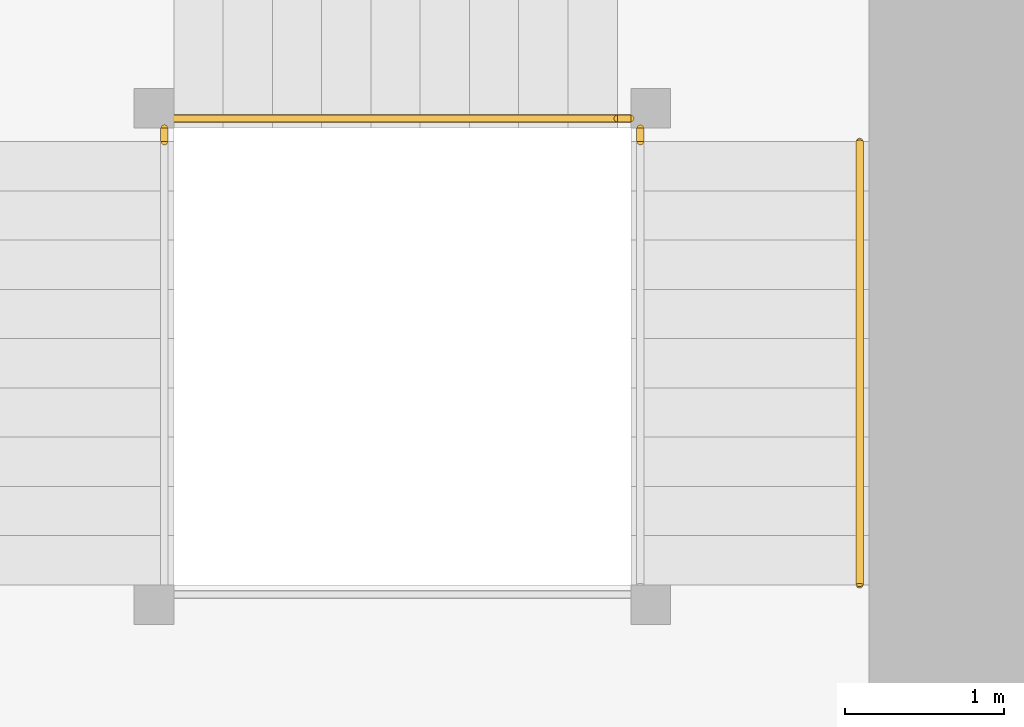
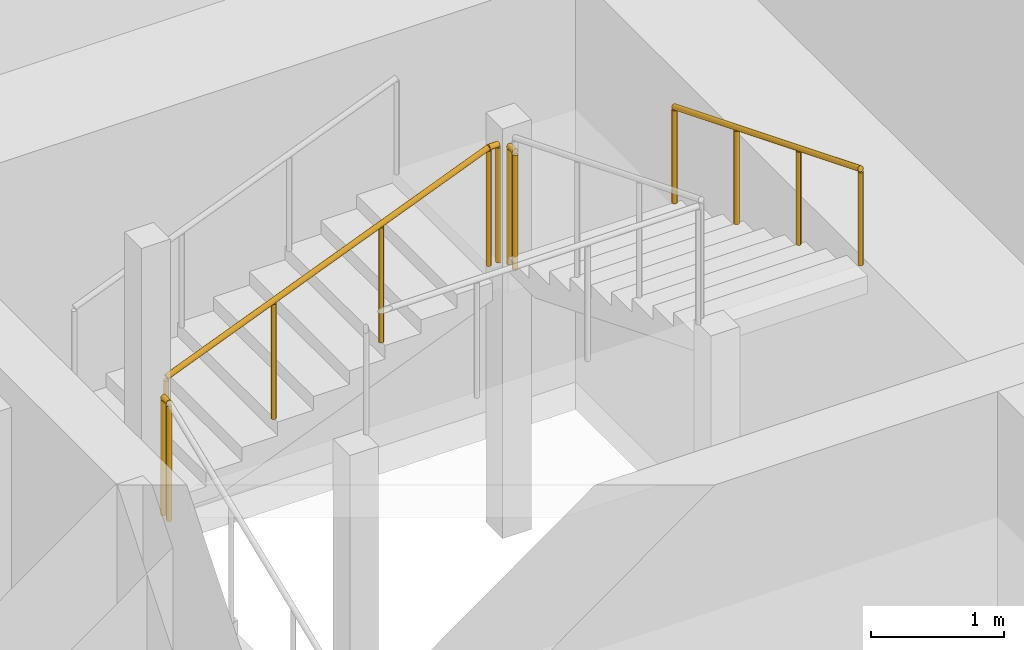
# One storey, part 39 of 40: 5 railings.
"""IFC4 building model written with IfcOpenShell, lengths in metres."""

import ifcopenshell
import ifcopenshell.guid

model = None  # the IFC model being written
_history = None  # IfcOwnerHistory: only IFC2X3 demands one
_inside = {}  # id of a spatial element -> (the spatial element, [elements in it])
_under = {}  # id of a project, library or spatial element -> (it, [spatial elements below it])
_declared = {}  # id of a project -> (the project, [libraries it declares])
_typed = {}  # id of a type object -> (the type object, [elements of that type])
_made_of = {}  # id of a material, layer set ... -> (it, [elements and type objects made of it])


def new_model(schema):
    """Start an empty IFC model of exactly this schema.

    Asked for "IFC4X3", IfcOpenShell would pick the latest addendum, in which some entities
    have other attributes; the version numbers below select the first issue.
    IFC2X3 requires an IfcOwnerHistory on every rooted entity: one is made here for all.
    """
    global model, _history
    if schema == "IFC4X3":
        model = ifcopenshell.file(schema_version=(4, 3, 0, 0))
    else:
        model = ifcopenshell.file(schema=schema)
    _inside.clear()
    _under.clear()
    _declared.clear()
    _typed.clear()
    _made_of.clear()
    _history = None
    if model.schema == "IFC2X3":
        org = make("IfcOrganization", Name="unknown")
        user = make(
            "IfcPersonAndOrganization",
            ThePerson=make("IfcPerson", FamilyName="unknown"),
            TheOrganization=org,
        )
        app = make(
            "IfcApplication",
            ApplicationDeveloper=org,
            Version="unknown",
            ApplicationFullName="unknown",
            ApplicationIdentifier="unknown",
        )
        _history = make(
            "IfcOwnerHistory",
            OwningUser=user,
            OwningApplication=app,
            ChangeAction="ADDED",
            CreationDate=0,
        )
    return model


def make(cls, **values):
    """One entity of the class cls with the attributes given. An attribute that is None is left unset."""
    return model.create_entity(
        cls, **{name: value for name, value in values.items() if value is not None}
    )


def rooted(cls, **values):
    """An entity with a GlobalId (a new one), such as an element, a storey or a relation."""
    return make(cls, GlobalId=ifcopenshell.guid.new(), OwnerHistory=_history, **values)


def si_unit(unit_type, name, prefix=None):
    """IfcSIUnit, for example si_unit("LENGTHUNIT", "METRE", prefix="MILLI")."""
    return make("IfcSIUnit", UnitType=unit_type, Prefix=prefix, Name=name)


def assignment(units):
    """IfcUnitAssignment: the units of a project."""
    return None if units is None else make("IfcUnitAssignment", Units=units)


def point(xyz):
    """IfcCartesianPoint."""
    return None if xyz is None else make("IfcCartesianPoint", Coordinates=xyz)


def direction(xyz):
    """IfcDirection."""
    return None if xyz is None else make("IfcDirection", DirectionRatios=xyz)


def frame(location, z_axis=None, x_axis=None):
    """IfcAxis2Placement3D, a coordinate frame: its origin and axes. An axis left out is left unset."""
    return make(
        "IfcAxis2Placement3D",
        Location=point(location),
        Axis=direction(z_axis),
        RefDirection=direction(x_axis),
    )


def frame_2d(location, x_axis=None):
    """IfcAxis2Placement2D, a coordinate frame in the plane: its origin and x axis."""
    return make(
        "IfcAxis2Placement2D", Location=point(location), RefDirection=direction(x_axis)
    )


def origin():
    """The frame at (0, 0, 0) with its axes left unset."""
    return frame((0.0, 0.0, 0.0))


def origin_2d():
    """The frame at (0, 0) in the plane with its x axis left unset."""
    return frame_2d((0.0, 0.0))


def place(relative_to, where):
    """IfcLocalPlacement: puts the frame where relative to a parent placement (None: the world)."""
    return make(
        "IfcLocalPlacement", PlacementRelTo=relative_to, RelativePlacement=where
    )


def context(
    kind, dimensions, precision=None, world=None, true_north=None, identifier=None
):
    """IfcGeometricRepresentationContext, for example the 3D "Model" context."""
    return make(
        "IfcGeometricRepresentationContext",
        ContextIdentifier=identifier,
        ContextType=kind,
        CoordinateSpaceDimension=dimensions,
        Precision=precision,
        WorldCoordinateSystem=world,
        TrueNorth=true_north,
    )


def subcontext(parent, identifier, kind, view, scale=None):
    """IfcGeometricRepresentationSubContext, for example "Body" below "Model"."""
    return make(
        "IfcGeometricRepresentationSubContext",
        ContextIdentifier=identifier,
        ContextType=kind,
        ParentContext=parent,
        TargetScale=scale,
        TargetView=view,
    )


def project(units=None, contexts=None):
    """IfcProject with its units and contexts."""
    return rooted(
        "IfcProject",
        Name="project",
        RepresentationContexts=contexts,
        UnitsInContext=assignment(units),
    )


def spatial(cls, under=None, at=None, **own):
    """A site, building, storey or space (cls), placed at a placement, below another one or the project."""
    s = rooted(cls, ObjectPlacement=at, **own)
    if under is not None:
        _under.setdefault(under.id(), (under, []))[1].append(s)
    return s


def profile(cls, at=None, kind="AREA", **sizes):
    """A parametric profile (cls). Its sizes go by their IFC names, for example OverallWidth=200.0."""
    return make(cls, ProfileType=kind, Position=at, **sizes)


def circle(**sizes):
    """IfcCircleProfileDef."""
    return profile("IfcCircleProfileDef", **sizes)


def extrude(swept, where, along, depth):
    """IfcExtrudedAreaSolid: the profile swept, set in the frame where, extruded along a direction by depth."""
    return make(
        "IfcExtrudedAreaSolid",
        SweptArea=swept,
        Position=where,
        ExtrudedDirection=direction(along),
        Depth=depth,
    )


def shape(context_of_items, identifier, shape_type, items):
    """IfcShapeRepresentation: the items that make up one representation, for example the "Body"."""
    return make(
        "IfcShapeRepresentation",
        ContextOfItems=context_of_items,
        RepresentationIdentifier=identifier,
        RepresentationType=shape_type,
        Items=items,
    )


def material(Name=None, Category=None):
    """IfcMaterial."""
    return make("IfcMaterial", Name=Name, Category=Category)


def made_of(thing, what):
    """Note that an element or type object is made of a material, layer set ...; save() writes the relation."""
    if what is not None:
        _made_of.setdefault(what.id(), (what, []))[1].append(thing)
    return thing


def type_object(cls, material=None, **own):
    """A type object (cls), such as IfcWallType, which elements share."""
    return made_of(rooted(cls, **own), material)


def element(
    cls,
    number,
    at=None,
    inside=None,
    cuts=None,
    type_object=None,
    material=None,
    context=None,
    identifier="Body",
    shape_type=None,
    held_by="IfcProductDefinitionShape",
    body=None,
    shapes=None,
    **own,
):
    """One element of the class cls, such as IfcWall. Its Tag is "e" and its number.

    at: its placement. inside: the storey or other place that contains it. cuts: it is an
    opening in that element (IfcRelVoidsElement). A single representation is given by context,
    identifier, shape_type and body (its items); several are given by shapes. held_by: the class
    of the entity that holds the representations. save() writes the other relations.
    """
    e = rooted(cls, Tag="e%d" % number, ObjectPlacement=at, **own)
    if body is not None:
        shapes = [shape(context, identifier, shape_type, body)]
    if shapes is not None:
        e.Representation = make(held_by, Representations=shapes)
    if inside is not None:
        _inside.setdefault(inside.id(), (inside, []))[1].append(e)
    if cuts is not None:
        rooted(
            "IfcRelVoidsElement", RelatingBuildingElement=cuts, RelatedOpeningElement=e
        )
    if type_object is not None:
        _typed.setdefault(type_object.id(), (type_object, []))[1].append(e)
    return made_of(e, material)


def aggregate(whole, parts):
    """IfcRelAggregates: a whole, such as a stair, and the parts it consists of."""
    return rooted("IfcRelAggregates", RelatingObject=whole, RelatedObjects=parts)


def save(model, path):
    """Write the relations noted so far, then the file.

    IfcRelAggregates (storeys below a building ...), IfcRelContainedInSpatialStructure (elements
    in a storey), IfcRelDefinesByType, IfcRelAssociatesMaterial and IfcRelDeclares: one each for
    every whole, place, type object, material and project.
    """
    for whole, parts in _under.values():
        aggregate(whole, parts)
    for where, things in _inside.values():
        rooted(
            "IfcRelContainedInSpatialStructure",
            RelatedElements=things,
            RelatingStructure=where,
        )
    for kind, things in _typed.values():
        rooted("IfcRelDefinesByType", RelatedObjects=things, RelatingType=kind)
    for what, things in _made_of.values():
        rooted("IfcRelAssociatesMaterial", RelatedObjects=things, RelatingMaterial=what)
    for by, libraries in _declared.values():
        rooted("IfcRelDeclares", RelatingContext=by, RelatedDefinitions=libraries)
    model.write(path)


model = new_model("IFC4")

# Units and contexts
model_context = context("Model", 3, precision=1e-05, world=origin(), true_north=direction((0.0, 1.0)))
body_context = subcontext(model_context, "Body", "Model", "MODEL_VIEW")
ifc_project = project(units=[si_unit("LENGTHUNIT", "METRE"), si_unit("AREAUNIT", "SQUARE_METRE"), si_unit("VOLUMEUNIT", "CUBIC_METRE"), si_unit("PLANEANGLEUNIT", "RADIAN"), si_unit("MASSUNIT", "GRAM", prefix="KILO")], contexts=[model_context])

# Site, building, storey
site_placement = place(None, origin())
site = spatial("IfcSite", under=ifc_project, at=site_placement, CompositionType="ELEMENT")
building_placement = place(site_placement, origin())
building = spatial("IfcBuilding", under=site, at=building_placement, Name="Rekha Terrace Tower", CompositionType="ELEMENT")
storey_placement = place(building_placement, frame((0.0, 0.0, 106.550048828125)))
storey = spatial("IfcBuildingStorey", under=building, at=storey_placement, Name="L26", CompositionType="ELEMENT", Elevation=106.550048828125)

# Railings
ifc_material_1 = material(Name="Stainless steel balustrade", Category="steel")
railing_type_1 = type_object("IfcRailingType", Name="GR1 1100 stair guard", PredefinedType="GUARDRAIL", material=ifc_material_1)
railing_1_placement = place(storey_placement, frame((45.52490234375, 44.260009765625, 1.375)))
element("IfcRailing", 1, at=railing_1_placement, inside=storey, type_object=railing_type_1, Name="Guard ST2 L26 flight 2", PredefinedType="GUARDRAIL", context=body_context, shape_type="SweptSolid", body=[
    extrude(circle(Radius=0.02392578125, at=origin_2d()), frame((0.0, 0.0, 1.076171875), z_axis=(0.927443287984, 0.0, 0.373963831907), x_axis=(0.0, 1.0, 0.0)), (0.0, 0.0, 1.0), 3.00830078125),
    extrude(circle(Radius=0.02099609375, at=origin_2d()), origin(), (0.0, 0.0, 1.0), 1.052001953125),
    extrude(circle(Radius=0.02099609375, at=origin_2d()), frame((0.929931640625, 0.0, 0.375)), (0.0, 0.0, 1.0), 1.052001953125),
    extrude(circle(Radius=0.02099609375, at=origin_2d()), frame((1.860107421875, 0.0, 0.75)), (0.0, 0.0, 1.0), 1.052001953125),
    extrude(circle(Radius=0.02099609375, at=origin_2d()), frame((2.7900390625, 0.0, 1.125)), (0.0, 0.0, 1.0), 1.052001953125),
])
railing_2_placement = place(storey_placement, frame((45.465087890625, 44.114990234375, 1.25)))
element("IfcRailing", 2, at=railing_2_placement, inside=storey, type_object=railing_type_1, Name="Guard ST2 L26 landing 1", PredefinedType="GUARDRAIL", context=body_context, shape_type="SweptSolid", body=[
    extrude(circle(Radius=0.02392578125, at=origin_2d()), frame((0.0, 0.0, 1.076171875), z_axis=(0.0, 1.0, 0.0), x_axis=(-1.0, 0.0, 0.0)), (0.0, 0.0, 1.0), 0.0849609375),
    extrude(circle(Radius=0.02099609375, at=origin_2d()), origin(), (0.0, 0.0, 1.0), 1.052001953125),
    extrude(circle(Radius=0.02099609375, at=origin_2d()), frame((0.0, 0.0849609375, 0.0)), (0.0, 0.0, 1.0), 1.052001953125),
])
railing_3_placement = place(storey_placement, frame((48.31494140625, 44.260009765625, 2.5)))
element("IfcRailing", 3, at=railing_3_placement, inside=storey, type_object=railing_type_1, Name="Guard ST2 L26 landing 2", PredefinedType="GUARDRAIL", context=body_context, shape_type="SweptSolid", body=[
    extrude(circle(Radius=0.02392578125, at=origin_2d()), frame((0.0, 0.0, 1.076171875), z_axis=(1.0, 0.0, 0.0), x_axis=(0.0, 1.0, 0.0)), (0.0, 0.0, 1.0), 0.0849609375),
    extrude(circle(Radius=0.02099609375, at=origin_2d()), origin(), (0.0, 0.0, 1.0), 1.052001953125),
    extrude(circle(Radius=0.02099609375, at=origin_2d()), frame((0.0849609375, 0.0, 0.0)), (0.0, 0.0, 1.0), 1.052001953125),
])
railing_4_placement = place(storey_placement, frame((48.4599609375, 44.114990234375, 2.5)))
element("IfcRailing", 4, at=railing_4_placement, inside=storey, type_object=railing_type_1, Name="Guard ST2 L26 landing 3", PredefinedType="GUARDRAIL", context=body_context, shape_type="SweptSolid", body=[
    extrude(circle(Radius=0.02392578125, at=origin_2d()), frame((0.0, 0.0, 1.076171875), z_axis=(0.0, 1.0, 0.0), x_axis=(-1.0, 0.0, 0.0)), (0.0, 0.0, 1.0), 0.0849609375),
    extrude(circle(Radius=0.02099609375, at=origin_2d()), origin(), (0.0, 0.0, 1.0), 1.052001953125),
    extrude(circle(Radius=0.02099609375, at=origin_2d()), frame((0.0, 0.0849609375, 0.0)), (0.0, 0.0, 1.0), 1.052001953125),
])
ifc_material_2 = material(Name="Stainless steel tube", Category="steel")
railing_type_2 = type_object("IfcRailingType", Name="HR1 900 stair handrail", PredefinedType="HANDRAIL", material=ifc_material_2)
railing_5_placement = place(storey_placement, frame((49.840087890625, 44.114990234375, 2.625)))
element("IfcRailing", 5, at=railing_5_placement, inside=storey, type_object=railing_type_2, Name="Handrail ST2 L26 flight 3", PredefinedType="HANDRAIL", context=body_context, shape_type="SweptSolid", body=[
    extrude(circle(Radius=0.02392578125, at=origin_2d()), frame((0.0, 0.0, 0.8759765625), z_axis=(0.0, -0.927443287984, 0.373963831907), x_axis=(1.0, 0.0, 0.0)), (0.0, 0.0, 1.0), 3.00830078125),
    extrude(circle(Radius=0.02099609375, at=origin_2d()), origin(), (0.0, 0.0, 1.0), 0.851806640625),
    extrude(circle(Radius=0.02099609375, at=origin_2d()), frame((0.0, -0.929931640625, 0.375)), (0.0, 0.0, 1.0), 0.851806640625),
    extrude(circle(Radius=0.02099609375, at=origin_2d()), frame((0.0, -1.860107421875, 0.75)), (0.0, 0.0, 1.0), 0.851806640625),
    extrude(circle(Radius=0.02099609375, at=origin_2d()), frame((0.0, -2.7900390625, 1.125)), (0.0, 0.0, 1.0), 0.851806640625),
])

save(model, "model.ifc")
